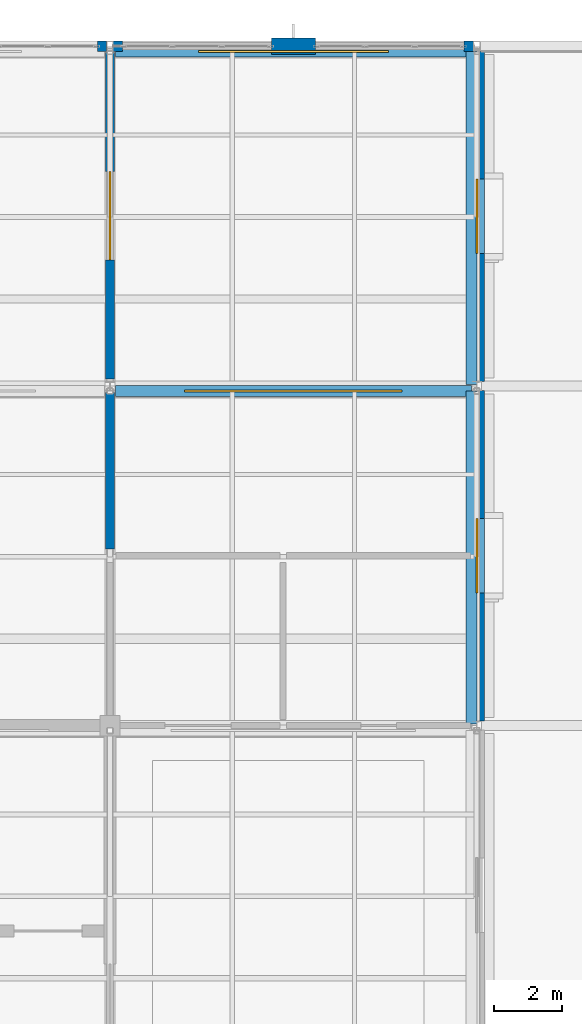
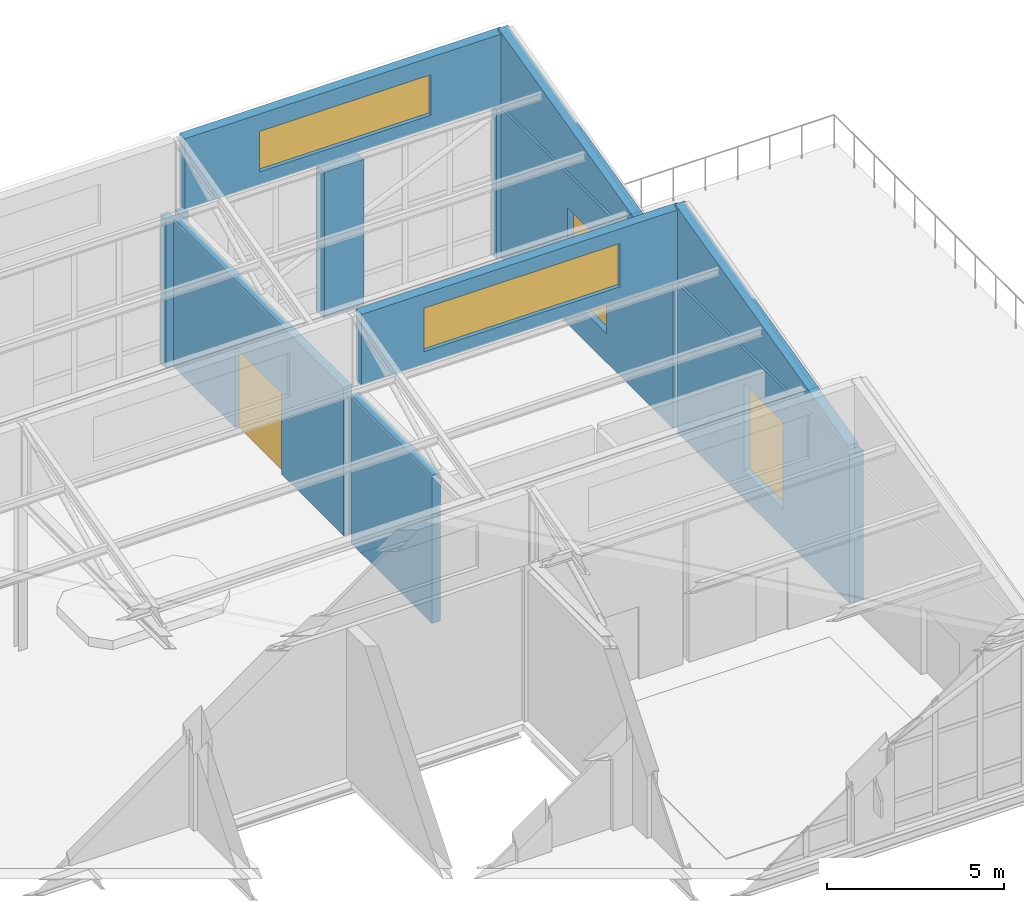
# One storey, part 42 of 49: 12 walls, 4 windows, 1 door, 5 openings.
"""IFC4 building model written with IfcOpenShell, lengths in metres."""

from ifc_helpers import new_model, si_unit, direction, frame, frame_2d, origin, place, context, subcontext, project, spatial, polyline, rectangle, outline, extrude, material, layer, layer_set, type_object, element, fill, save


model = new_model("IFC4")

# Units and contexts
model_context = context("Model", 3, precision=1e-05, world=origin(), true_north=direction((0.0, 1.0)))
body_context = subcontext(model_context, "Body", "Model", "MODEL_VIEW")
ifc_project = project(units=[si_unit("LENGTHUNIT", "METRE"), si_unit("AREAUNIT", "SQUARE_METRE"), si_unit("VOLUMEUNIT", "CUBIC_METRE"), si_unit("PLANEANGLEUNIT", "RADIAN"), si_unit("MASSUNIT", "GRAM", prefix="KILO")], contexts=[model_context])

# Site, building, storey
site_placement = place(None, origin())
site = spatial("IfcSite", under=ifc_project, at=site_placement, CompositionType="ELEMENT")
building_placement = place(site_placement, origin())
building = spatial("IfcBuilding", under=site, at=building_placement, Name="Tasgan Crest Museum", CompositionType="ELEMENT")
storey_placement = place(building_placement, frame((0.0, 0.0, 28.800048828125)))
storey = spatial("IfcBuildingStorey", under=building, at=storey_placement, Name="L05", CompositionType="ELEMENT", Elevation=28.800048828125)

# Walls
ifc_material_1 = material(Name="Precast concrete C40/50", Category="concrete")
ifc_layer_1 = layer(ifc_material_1, 0.320068359375, Name="WL-EXT-CLER-320")
ifc_layer_set_1 = layer_set([ifc_layer_1], Name="Precast concrete C40/50")
wall_type_1 = type_object("IfcWallType", Name="WL-EXT-CLER-320", PredefinedType="STANDARD", material=ifc_layer_set_1)
for number, where, z_axis, x_axis, name in (
    (1, (75.50390625, 112.0, 0.0), (0.0, 0.0, 1.0), (-1.0, 0.0, 0.0), "Curtain wall jamb closure L05 JL"),
    (2, (65.169921875, 112.0, 0.0), (0.0, 0.0, 1.0), (-1.0, 0.0, 0.0), "Curtain wall jamb closure L05 JR"),
):
    element("IfcWall", number, at=place(storey_placement, frame(where, z_axis=z_axis, x_axis=x_axis)), inside=storey, type_object=wall_type_1, Name=name, PredefinedType="STANDARD", context=body_context, shape_type="SweptSolid", body=[
        extrude(rectangle(XDim=0.27392578125, YDim=0.300048828125, at=frame_2d((0.136962890625, 0.0))), origin(), (0.0, 0.0, 1.0), 5.159912109375),
    ])
wall_1_placement = place(storey_placement, frame((64.7041015625, 112.0, 0.0), z_axis=(0.0, 0.0, 1.0), x_axis=(-1.0, 0.0, 0.0)))
element("IfcWall", 3, at=wall_1_placement, inside=storey, type_object=wall_type_1, Name="Curtain wall jamb closure L05 JL", PredefinedType="STANDARD", context=body_context, shape_type="SweptSolid", body=[
    extrude(rectangle(XDim=0.274169921875, YDim=0.300048828125, at=frame_2d((0.13720703125, 0.0))), origin(), (0.0, 0.0, 1.0), 5.159912109375),
])

# Wall, opening, window
wall_2_placement = place(storey_placement, frame((64.9599609375, 101.85009765625, 5.39990234375), z_axis=(0.0, 0.0, 1.0), x_axis=(1.0, 0.0, 0.0)))
wall_2 = element("IfcWall", 4, at=wall_2_placement, inside=storey, type_object=wall_type_1, Name="Sawtooth north clerestory wall B2 64.8-75.6", PredefinedType="STANDARD", context=body_context, shape_type="SweptSolid", body=[
    extrude(rectangle(XDim=10.47998046875, YDim=0.320068359375, at=frame_2d((5.239990234375, 0.0))), origin(), (0.0, 0.0, 1.0), 2.449951171875),
])
opening_1_placement = place(wall_2_placement, frame((2.0400390625, 0.0, 0.449951171875)))
opening_1 = element("IfcOpeningElement", 5, at=opening_1_placement, cuts=wall_2, Name="Opening RL02", PredefinedType="OPENING", context=body_context, shape_type="SweptSolid", body=[
    extrude(rectangle(XDim=6.39990234375, YDim=1.5, at=frame_2d((3.199951171875, 0.75))), frame((0.0, 0.169921875, 0.0), z_axis=(0.0, -1.0, 0.0), x_axis=(1.0, 0.0, 0.0)), (0.0, 0.0, 1.0), 0.340087890625),
])
ifc_material_2 = material(Name="Thermally Broken Triple-Glazed Aluminium", Category="aluminium")
window_type_1 = type_object("IfcWindowType", Name="RF-SAW-6400X1500", PartitioningType="SINGLE_PANEL", PredefinedType="SKYLIGHT", material=ifc_material_2)
window_1_placement = place(opening_1_placement, origin())
window_1 = element("IfcWindow", 6, at=window_1_placement, inside=storey, type_object=window_type_1, Name="Rooflight RL-14", OverallHeight=1.5, OverallWidth=6.39990234375, PartitioningType="SINGLE_PANEL", PredefinedType="SKYLIGHT", context=body_context, shape_type="SweptSolid", body=[
    extrude(rectangle(XDim=6.39990234375, YDim=1.5, at=frame_2d((3.199951171875, 0.75))), frame((0.0, 0.030029296875, 0.0), z_axis=(0.0, -1.0, 0.0), x_axis=(1.0, 0.0, 0.0)), (0.0, 0.0, 1.0), 0.06005859375),
])
fill(opening_1, window_1)

# Wall
wall_3_placement = place(storey_placement, frame((75.43994140625, 92.050048828125, 5.39990234375), z_axis=(0.0, 0.0, 1.0), x_axis=(0.0, 1.0, 0.0)))
element("IfcWall", 7, at=wall_3_placement, inside=storey, type_object=wall_type_1, Name="Sawtooth gable wall B2 E", PredefinedType="STANDARD", context=body_context, shape_type="SweptSolid", body=[
    extrude(outline(polyline([(0.0, 0.0), (9.800048828125, 0.0), (9.800048828125, 2.550048828125), (0.0, 0.150146484375), (0.0, 0.0)])), frame((0.0, 0.16015625, 0.0), z_axis=(0.0, -1.0, 0.0), x_axis=(1.0, 0.0, 0.0)), (0.0, 0.0, 1.0), 0.320068359375),
])

# Wall, opening, window
wall_4_placement = place(storey_placement, frame((64.9599609375, 111.85009765625, 5.39990234375), z_axis=(0.0, 0.0, 1.0), x_axis=(1.0, 0.0, 0.0)))
wall_4 = element("IfcWall", 8, at=wall_4_placement, inside=storey, type_object=wall_type_1, Name="Sawtooth north clerestory wall B3 64.8-75.6", PredefinedType="STANDARD", context=body_context, shape_type="SweptSolid", body=[
    extrude(rectangle(XDim=10.47998046875, YDim=0.320068359375, at=frame_2d((5.239990234375, 0.0))), origin(), (0.0, 0.0, 1.0), 2.449951171875),
])
opening_2_placement = place(wall_4_placement, frame((2.43994140625, 0.0, 0.449951171875)))
opening_2 = element("IfcOpeningElement", 9, at=opening_2_placement, cuts=wall_4, Name="Opening RL03", PredefinedType="OPENING", context=body_context, shape_type="SweptSolid", body=[
    extrude(rectangle(XDim=5.60009765625, YDim=1.39990234375, at=frame_2d((2.800048828125, 0.699951171875))), frame((0.0, 0.169921875, 0.0), z_axis=(0.0, -1.0, 0.0), x_axis=(1.0, 0.0, 0.0)), (0.0, 0.0, 1.0), 0.340087890625),
])
ifc_material_3 = material(Name="Thermally Broken Triple-Glazed Aluminium", Category="aluminium")
window_type_2 = type_object("IfcWindowType", Name="RF-SAW-5600X1400", PartitioningType="SINGLE_PANEL", PredefinedType="SKYLIGHT", material=ifc_material_3)
window_2_placement = place(opening_2_placement, origin())
window_2 = element("IfcWindow", 10, at=window_2_placement, inside=storey, type_object=window_type_2, Name="Rooflight RL-21", OverallHeight=1.39990234375, OverallWidth=5.60009765625, PartitioningType="SINGLE_PANEL", PredefinedType="SKYLIGHT", context=body_context, shape_type="SweptSolid", body=[
    extrude(rectangle(XDim=5.60009765625, YDim=1.39990234375, at=frame_2d((2.800048828125, 0.699951171875))), frame((0.0, 0.030029296875, 0.0), z_axis=(0.0, -1.0, 0.0), x_axis=(1.0, 0.0, 0.0)), (0.0, 0.0, 1.0), 0.06005859375),
])
fill(opening_2, window_2)

# Walls
wall_5_placement = place(storey_placement, frame((75.43994140625, 102.050048828125, 5.39990234375), z_axis=(0.0, 0.0, 1.0), x_axis=(0.0, 1.0, 0.0)))
element("IfcWall", 11, at=wall_5_placement, inside=storey, type_object=wall_type_1, Name="Sawtooth gable wall B3 E", PredefinedType="STANDARD", context=body_context, shape_type="SweptSolid", body=[
    extrude(outline(polyline([(0.0, 0.0), (9.800048828125, 0.0), (9.800048828125, 2.550048828125), (0.0, 0.150146484375), (0.0, 0.0)])), frame((0.0, 0.16015625, 0.0), z_axis=(0.0, -1.0, 0.0), x_axis=(1.0, 0.0, 0.0)), (0.0, 0.0, 1.0), 0.320068359375),
])
ifc_material_4 = material(Name="Precast concrete C40/50", Category="concrete")
ifc_layer_2 = layer(ifc_material_4, 0.47998046875, Name="WL-EXT-GRAN-480")
ifc_layer_set_2 = layer_set([ifc_layer_2], Name="Precast concrete C40/50")
wall_type_2 = type_object("IfcWallType", Name="WL-EXT-GRAN-480", PredefinedType="STANDARD", material=ifc_layer_set_2)
wall_6_placement = place(storey_placement, frame((70.85009765625, 112.0, 0.0), z_axis=(0.0, 0.0, 1.0), x_axis=(-1.0, 0.0, 0.0)))
element("IfcWall", 12, at=wall_6_placement, inside=storey, type_object=wall_type_2, Name="Postmodern facade stone pier L05", PredefinedType="STANDARD", context=body_context, shape_type="SweptSolid", body=[
    extrude(rectangle(XDim=1.300048828125, YDim=0.47998046875, at=frame_2d((0.64990234375, 0.0))), origin(), (0.0, 0.0, 1.0), 5.0439453125),
])

# Wall, opening, window
ifc_material_5 = material(Name="Precast concrete C40/50", Category="concrete")
ifc_layer_3 = layer(ifc_material_5, 0.449951171875, Name="WL-EXT-LIME-450")
ifc_layer_set_3 = layer_set([ifc_layer_3], Name="Precast concrete C40/50")
wall_type_3 = type_object("IfcWallType", Name="WL-EXT-LIME-450", PredefinedType="STANDARD", material=ifc_layer_set_3)
wall_7_placement = place(storey_placement, frame((75.60009765625, 92.131103515625, 0.0), z_axis=(0.0, 0.0, 1.0), x_axis=(0.0, 1.0, 0.0)))
wall_7 = element("IfcWall", 13, at=wall_7_placement, inside=storey, type_object=wall_type_3, Name="Exterior wall L05 (75.6,97.0)", PredefinedType="STANDARD", context=body_context, shape_type="SweptSolid", body=[
    extrude(rectangle(XDim=9.73779296875, YDim=0.449951171875, at=frame_2d((4.868896484375, 0.0))), origin(), (0.0, 0.0, 1.0), 5.159912109375),
])
opening_3_placement = place(wall_7_placement, frame((3.76904296875, 0.0, 1.0)))
opening_3 = element("IfcOpeningElement", 14, at=opening_3_placement, cuts=wall_7, Name="Opening W10", PredefinedType="OPENING", context=body_context, shape_type="SweptSolid", body=[
    extrude(rectangle(XDim=2.199951171875, YDim=3.0, at=frame_2d((1.10009765625, 1.5))), frame((0.0, 0.23486328125, 0.0), z_axis=(0.0, -1.0, 0.0), x_axis=(1.0, 0.0, 0.0)), (0.0, 0.0, 1.0), 0.469970703125),
])
ifc_material_6 = material(Name="Thermally Broken Triple-Glazed Aluminium", Category="aluminium")
window_type_3 = type_object("IfcWindowType", Name="WN-GAL-SAW-2200X3000", PartitioningType="SINGLE_PANEL", PredefinedType="WINDOW", material=ifc_material_6)
window_3_placement = place(opening_3_placement, origin())
window_3 = element("IfcWindow", 15, at=window_3_placement, inside=storey, type_object=window_type_3, Name="Window W10 L05-068", OverallHeight=3.0, OverallWidth=2.199951171875, PartitioningType="SINGLE_PANEL", PredefinedType="WINDOW", context=body_context, shape_type="SweptSolid", body=[
    extrude(rectangle(XDim=2.199951171875, YDim=3.0, at=frame_2d((1.10009765625, 1.5))), frame((0.0, 0.030029296875, 0.0), z_axis=(0.0, -1.0, 0.0), x_axis=(1.0, 0.0, 0.0)), (0.0, 0.0, 1.0), 0.06005859375),
])
fill(opening_3, window_3)

wall_8_placement = place(storey_placement, frame((75.60009765625, 102.131103515625, 0.0), z_axis=(0.0, 0.0, 1.0), x_axis=(0.0, 1.0, 0.0)))
wall_8 = element("IfcWall", 16, at=wall_8_placement, inside=storey, type_object=wall_type_3, Name="Exterior wall L05 (75.6,107.0)", PredefinedType="STANDARD", context=body_context, shape_type="SweptSolid", body=[
    extrude(rectangle(XDim=9.723876953125, YDim=0.449951171875, at=frame_2d((4.86181640625, 0.0))), origin(), (0.0, 0.0, 1.0), 5.159912109375),
])
opening_4_placement = place(wall_8_placement, frame((3.761962890625, 0.0, 1.0)))
opening_4 = element("IfcOpeningElement", 17, at=opening_4_placement, cuts=wall_8, Name="Opening W10", PredefinedType="OPENING", context=body_context, shape_type="SweptSolid", body=[
    extrude(rectangle(XDim=2.199951171875, YDim=3.0, at=frame_2d((1.10009765625, 1.5))), frame((0.0, 0.23486328125, 0.0), z_axis=(0.0, -1.0, 0.0), x_axis=(1.0, 0.0, 0.0)), (0.0, 0.0, 1.0), 0.469970703125),
])
window_4_placement = place(opening_4_placement, origin())
window_4 = element("IfcWindow", 18, at=window_4_placement, inside=storey, type_object=window_type_3, Name="Window W10 L05-069", OverallHeight=3.0, OverallWidth=2.199951171875, PartitioningType="SINGLE_PANEL", PredefinedType="WINDOW", context=body_context, shape_type="SweptSolid", body=[
    extrude(rectangle(XDim=2.199951171875, YDim=3.0, at=frame_2d((1.10009765625, 1.5))), frame((0.0, 0.030029296875, 0.0), z_axis=(0.0, -1.0, 0.0), x_axis=(1.0, 0.0, 0.0)), (0.0, 0.0, 1.0), 0.06005859375),
])
fill(opening_4, window_4)

# Wall
ifc_material_7 = material(Name="Gypsum Acoustic Museum Partition")
ifc_layer_4 = layer(ifc_material_7, 0.27001953125, Name="WL-SCH-08")
ifc_layer_set_4 = layer_set([ifc_layer_4], Name="Gypsum Acoustic Museum Partition")
wall_type_4 = type_object("IfcWallType", Name="WL-SCH-08", PredefinedType="PARTITIONING", material=ifc_layer_set_4)
wall_9_placement = place(storey_placement, frame((64.800048828125, 97.199951171875, 0.0), z_axis=(0.0, 0.0, 1.0), x_axis=(0.0, 1.0, 0.0)))
element("IfcWall", 19, at=wall_9_placement, inside=storey, type_object=wall_type_4, Name="Partition East Top-Lit Sawtooth Steppe Climate Gallery / Crest Conservation Observation Study L05", PredefinedType="PARTITIONING", context=body_context, shape_type="SweptSolid", body=[
    extrude(rectangle(XDim=4.60009765625, YDim=0.27001953125, at=frame_2d((2.300048828125, 0.0))), origin(), (0.0, 0.0, 1.0), 5.119873046875),
])

# Wall, opening, door
wall_10_placement = place(storey_placement, frame((64.800048828125, 102.199951171875, 0.0), z_axis=(0.0, 0.0, 1.0), x_axis=(0.0, 1.0, 0.0)))
wall_10 = element("IfcWall", 20, at=wall_10_placement, inside=storey, type_object=wall_type_4, Name="Partition East Top-Lit Sawtooth Steppe Climate Gallery / Crest Conservation Observation Study L05", PredefinedType="PARTITIONING", context=body_context, shape_type="SweptSolid", body=[
    extrude(rectangle(XDim=9.6201171875, YDim=0.27001953125, at=frame_2d((4.81005859375, 0.0))), origin(), (0.0, 0.0, 1.0), 5.119873046875),
])
opening_5_placement = place(wall_10_placement, frame((3.510009765625, 0.0, 0.0)))
opening_5 = element("IfcOpeningElement", 21, at=opening_5_placement, cuts=wall_10, Name="Opening D103", PredefinedType="OPENING", context=body_context, shape_type="SweptSolid", body=[
    extrude(rectangle(XDim=2.60009765625, YDim=2.800048828125, at=frame_2d((1.300048828125, 1.39990234375))), frame((0.0, 0.14501953125, 0.0), z_axis=(0.0, -1.0, 0.0), x_axis=(1.0, 0.0, 0.0)), (0.0, 0.0, 1.0), 0.2900390625),
])
ifc_material_8 = material(Name="Oak and Brushed Bronze Acoustic Door")
door_type = type_object("IfcDoorType", Name="DR-SCH-19", OperationType="NOTDEFINED", PredefinedType="DOOR", material=ifc_material_8)
door_placement = place(opening_5_placement, origin())
door = element("IfcDoor", 22, at=door_placement, inside=storey, type_object=door_type, Name="Crest Conservation Observation Study door D103", OperationType="DOUBLE_DOOR_SINGLE_SWING", OverallHeight=2.800048828125, OverallWidth=2.60009765625, PredefinedType="DOOR", context=body_context, shape_type="SweptSolid", body=[
    extrude(rectangle(XDim=2.60009765625, YDim=2.800048828125, at=frame_2d((1.300048828125, 1.39990234375))), frame((0.0, 0.02490234375, 0.0), z_axis=(0.0, -1.0, 0.0), x_axis=(1.0, 0.0, 0.0)), (0.0, 0.0, 1.0), 0.050048828125),
])
fill(opening_5, door)

save(model, "model.ifc")
